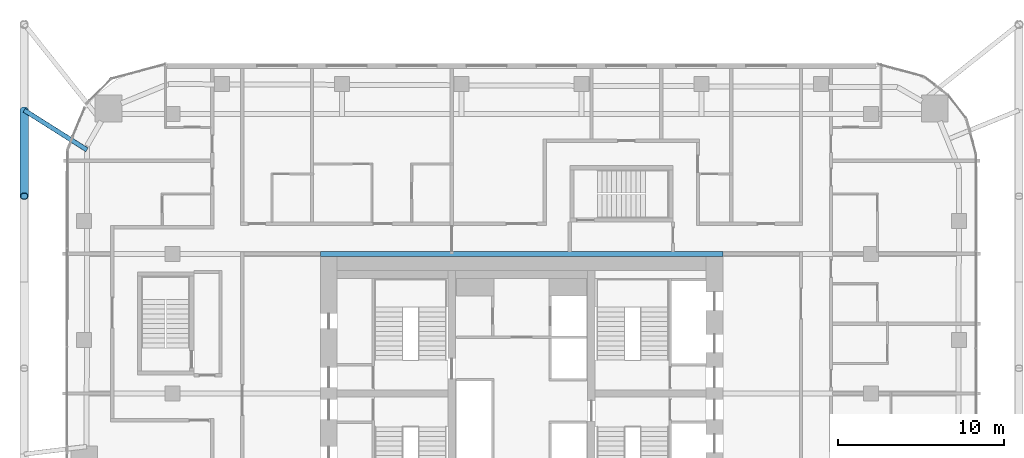
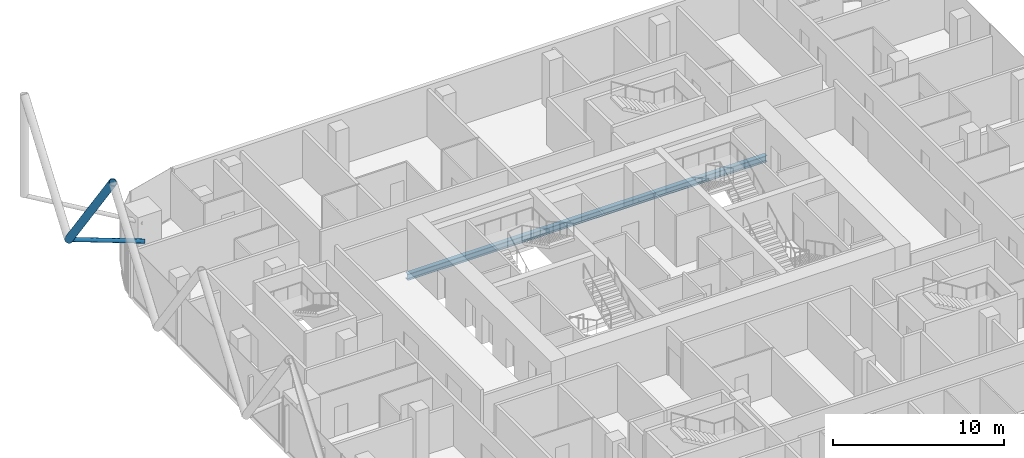
# One storey, part 10 of 36: 2 members, 1 beam.
"""IFC4 building model written with IfcOpenShell, lengths in metres."""

from ifc_helpers import new_model, si_unit, direction, frame, origin, origin_2d, place, context, subcontext, project, spatial, hollow_circle, i_section, extrude, material, material_profile, profile_set, type_object, element, save


model = new_model("IFC4")

# Units and contexts
model_context = context("Model", 3, precision=1e-05, world=origin(), true_north=direction((0.0, 1.0)))
body_context = subcontext(model_context, "Body", "Model", "MODEL_VIEW")
ifc_project = project(units=[si_unit("LENGTHUNIT", "METRE"), si_unit("AREAUNIT", "SQUARE_METRE"), si_unit("VOLUMEUNIT", "CUBIC_METRE"), si_unit("PLANEANGLEUNIT", "RADIAN"), si_unit("MASSUNIT", "GRAM", prefix="KILO")], contexts=[model_context])

# Site, building, storey
site_placement = place(None, origin())
site = spatial("IfcSite", under=ifc_project, at=site_placement, CompositionType="ELEMENT")
building_placement = place(site_placement, origin())
building = spatial("IfcBuilding", under=site, at=building_placement, Name="Marenta Gate Hotel Tower", CompositionType="ELEMENT")
storey_placement = place(building_placement, frame((0.0, 0.0, 130.10009765625)))
storey = spatial("IfcBuildingStorey", under=building, at=storey_placement, Name="L29", CompositionType="ELEMENT", Elevation=130.10009765625)

# Members
ifc_material_1 = material(Name="Steel S355J2W", Category="steel")
ifc_material_profile_1 = material_profile(ifc_material_1, hollow_circle(Radius=0.25390625, WallThickness=0.0400390625, at=origin_2d()), Name="CHS 508x40")
ifc_profile_set_1 = profile_set([ifc_material_profile_1], Name="Steel S355J2W")
member_type_1 = type_object("IfcMemberType", Name="Diagrid diagonal Z2 CHS 508x40", PredefinedType="BRACE", material=ifc_profile_set_1)
member_1_placement = place(storey_placement, frame((-29.89990234375, 25.429931640625, 3.139892578125), z_axis=(0.0, -0.583260841117, 0.812284919975), x_axis=(1.0, 0.0, 0.0)))
element("IfcMember", 1, at=member_1_placement, inside=storey, type_object=member_type_1, Name="L29-DG-33", PredefinedType="BRACE", context=body_context, shape_type="SweptSolid", body=[
    extrude(hollow_circle(Radius=0.25390625, WallThickness=0.0400390625, at=origin_2d()), origin(), (0.0, 0.0, 1.0), 8.86376953125),
])
ifc_material_2 = material(Name="Steel S355J2W", Category="steel")
ifc_material_profile_2 = material_profile(ifc_material_2, hollow_circle(Radius=0.136474609375, WallThickness=0.012451171875, at=origin_2d()), Name="CHS 273x12.5")
ifc_profile_set_2 = profile_set([ifc_material_profile_2], Name="Steel S355J2W")
member_type_2 = type_object("IfcMemberType", Name="Floor tie CHS 273x12.5", PredefinedType="STRUT", material=ifc_profile_set_2)
member_2_placement = place(storey_placement, frame((-29.89990234375, 25.429931640625, 3.139892578125), z_axis=(0.845306816759, -0.534281185839, 0.0), x_axis=(0.534281185839, 0.845306816759, 0.0)))
element("IfcMember", 2, at=member_2_placement, inside=storey, type_object=member_type_2, Name="L29-DR-21", PredefinedType="STRUT", context=body_context, shape_type="SweptSolid", body=[
    extrude(hollow_circle(Radius=0.136474609375, WallThickness=0.012451171875, at=origin_2d()), origin(), (0.0, 0.0, 1.0), 4.461669921875),
])

# Beam
ifc_material_3 = material(Name="Steel S355", Category="steel")
ifc_material_profile_3 = material_profile(ifc_material_3, i_section(OverallWidth=0.300048828125, OverallDepth=0.449951171875, WebThickness=0.013916015625, FlangeThickness=0.02587890625, FilletRadius=0.027099609375, at=origin_2d()), Name="HEB 450")
ifc_profile_set_3 = profile_set([ifc_material_profile_3], Name="Steel S355")
beam_type = type_object("IfcBeamType", Name="Girder HEB 450", PredefinedType="BEAM", material=ifc_profile_set_3)
beam_placement = place(storey_placement, frame((-12.10009765625, 16.800048828125, -0.485107421875), z_axis=(1.0, 0.0, 0.0), x_axis=(0.0, 1.0, 0.0)))
element("IfcBeam", 3, at=beam_placement, inside=storey, type_object=beam_type, Name="L29-GD-26", PredefinedType="BEAM", context=body_context, shape_type="SweptSolid", body=[
    extrude(i_section(OverallWidth=0.300048828125, OverallDepth=0.449951171875, WebThickness=0.013916015625, FlangeThickness=0.02587890625, FilletRadius=0.027099609375, at=origin_2d()), origin(), (0.0, 0.0, 1.0), 24.2001953125),
])

save(model, "model.ifc")
